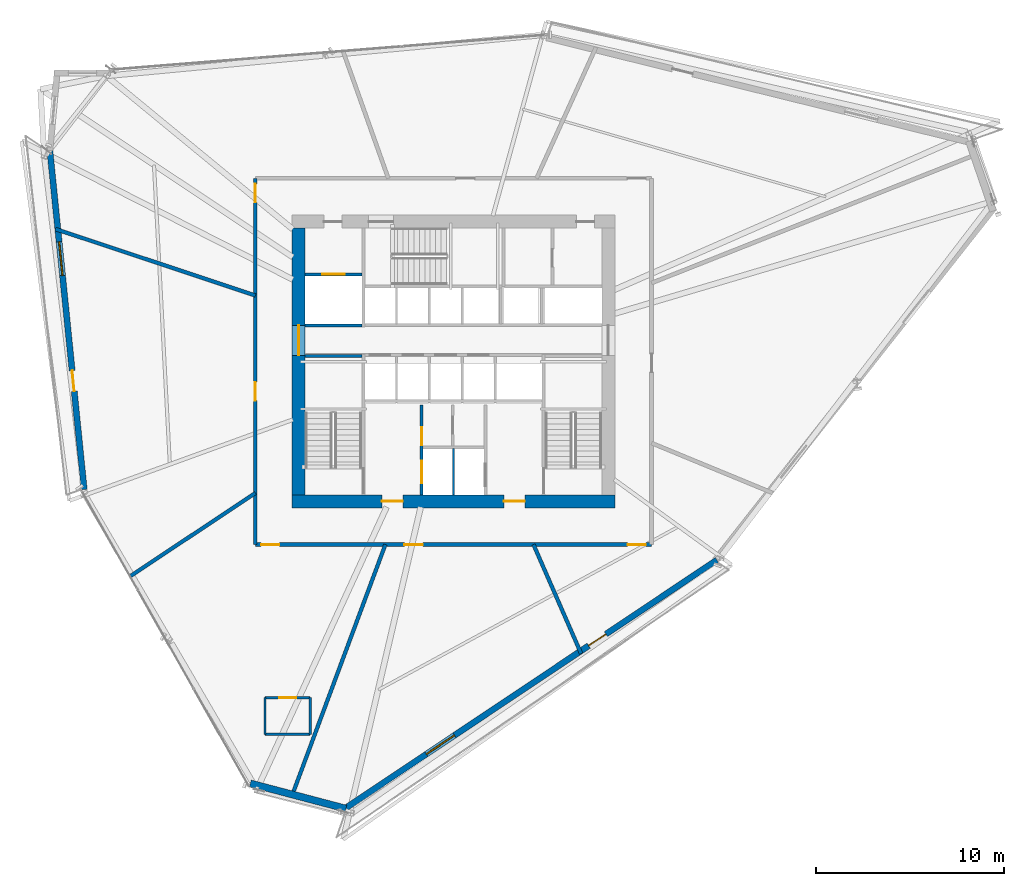
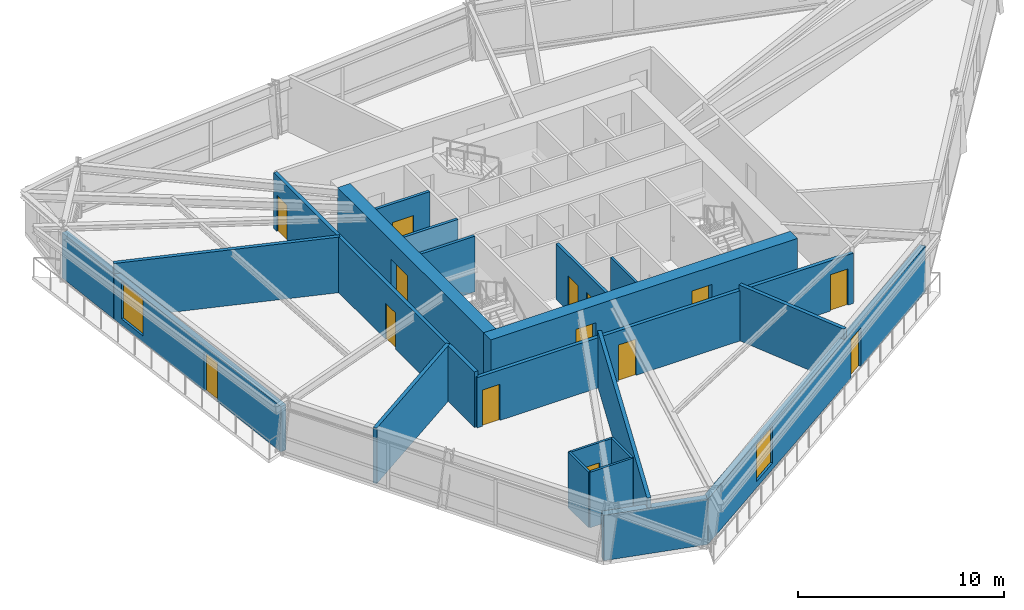
# One storey, part 12 of 18: 20 walls, 14 doors, 2 windows, 16 openings.
"""IFC4 building model written with IfcOpenShell, lengths in metres."""

from ifc_helpers import new_model, si_unit, direction, frame, frame_2d, origin, place, context, subcontext, project, spatial, rectangle, extrude, source, transform, mapped, material, layer, layer_set, type_object, type_shapes, element, fill, save


model = new_model("IFC4")

# Units and contexts
model_context = context("Model", 3, precision=1e-05, world=origin(), true_north=direction((0.0, 1.0)))
body_context = subcontext(model_context, "Body", "Model", "MODEL_VIEW")
ifc_project = project(units=[si_unit("LENGTHUNIT", "METRE"), si_unit("AREAUNIT", "SQUARE_METRE"), si_unit("VOLUMEUNIT", "CUBIC_METRE"), si_unit("PLANEANGLEUNIT", "RADIAN"), si_unit("MASSUNIT", "GRAM", prefix="KILO")], contexts=[model_context])

# Site, building, storey
site_placement = place(None, origin())
site = spatial("IfcSite", under=ifc_project, at=site_placement, CompositionType="ELEMENT")
building_placement = place(site_placement, origin())
building = spatial("IfcBuilding", under=site, at=building_placement, Name="Olszyna Solenne Hotel", CompositionType="ELEMENT")
storey_placement = place(building_placement, frame((0.0, 0.0, 112.800048828125)))
storey = spatial("IfcBuildingStorey", under=building, at=storey_placement, Name="L29", CompositionType="ELEMENT", Elevation=112.800048828125)

# Wall, openings, doors
ifc_material_1 = material(Name="Concrete C60/75", Category="concrete")
ifc_layer_1 = layer(ifc_material_1, 0.699951171875, Name="Concrete C60/75")
ifc_layer_set_1 = layer_set([ifc_layer_1], Name="Concrete C60/75")
wall_type_1 = type_object("IfcWallType", Name="WL-CR700", PredefinedType="SHEAR", material=ifc_layer_set_1)
wall_1_placement = place(storey_placement, frame((46.60009765625, 19.14990234375, 0.0), z_axis=(0.0, 0.0, 1.0), x_axis=(-1.0, 0.0, 0.0)))
wall_1 = element("IfcWall", 1, at=wall_1_placement, inside=storey, type_object=wall_type_1, Name="Core shear wall WL-CR700 CRW-L29-S", PredefinedType="SHEAR", context=body_context, shape_type="SweptSolid", body=[
    extrude(rectangle(XDim=17.2001953125, YDim=0.699951171875, at=frame_2d((8.60009765625, 0.0))), origin(), (0.0, 0.0, 1.0), 3.300048828125),
])
opening_1_placement = place(wall_1_placement, frame((4.800048828125, 0.0, 0.0)))
opening_1 = element("IfcOpeningElement", 2, at=opening_1_placement, cuts=wall_1, Name="Opening FL-L29-1", PredefinedType="OPENING", context=body_context, shape_type="SweptSolid", body=[
    extrude(rectangle(XDim=1.1201171875, YDim=2.25, at=frame_2d((0.56005859375, 1.125))), frame((0.0, 0.35986328125, 0.0), z_axis=(0.0, -1.0, 0.0), x_axis=(1.0, 0.0, 0.0)), (0.0, 0.0, 1.0), 0.719970703125),
])
opening_2_placement = place(wall_1_placement, frame((11.300048828125, 0.0, 0.0)))
opening_2 = element("IfcOpeningElement", 3, at=opening_2_placement, cuts=wall_1, Name="Opening FL-L29-2", PredefinedType="OPENING", context=body_context, shape_type="SweptSolid", body=[
    extrude(rectangle(XDim=1.1201171875, YDim=2.25, at=frame_2d((0.56005859375, 1.125))), frame((0.0, 0.35986328125, 0.0), z_axis=(0.0, -1.0, 0.0), x_axis=(1.0, 0.0, 0.0)), (0.0, 0.0, 1.0), 0.719970703125),
])
ifc_material_2 = material(Name="Steel S355J2", Category="steel")
door_type_1 = type_object("IfcDoorType", Name="DR-FL1", OperationType="NOTDEFINED", PredefinedType="DOOR", material=ifc_material_2)
shared_shape_1 = source(origin(), body_context, "Body", "SweptSolid", [
    extrude(rectangle(XDim=1.1201171875, YDim=2.25, at=frame_2d((0.56005859375, 1.125))), frame((0.0, 0.02490234375, 0.0), z_axis=(0.0, -1.0, 0.0), x_axis=(1.0, 0.0, 0.0)), (0.0, 0.0, 1.0), 0.050048828125),
])
type_shapes(door_type_1, [shared_shape_1])
door_1_placement = place(opening_1_placement, origin())
door_1 = element("IfcDoor", 4, at=door_1_placement, inside=storey, type_object=door_type_1, Name="Firefighting lift lobby smoke door FL-L29-1", OperationType="SINGLE_SWING_LEFT", OverallHeight=2.25, OverallWidth=1.1201171875, PredefinedType="DOOR", context=body_context, shape_type="MappedRepresentation", body=[
    mapped(shared_shape_1, transform((0.0, 0.0, 0.0), x_axis=(1.0, 0.0, 0.0), y_axis=(0.0, 1.0, 0.0), z_axis=(0.0, 0.0, 1.0), scale=1.0)),
])
fill(opening_1, door_1)
door_2_placement = place(opening_2_placement, origin())
door_2 = element("IfcDoor", 5, at=door_2_placement, inside=storey, type_object=door_type_1, Name="Firefighting lift lobby smoke door FL-L29-2", OperationType="SINGLE_SWING_RIGHT", OverallHeight=2.25, OverallWidth=1.1201171875, PredefinedType="DOOR", context=body_context, shape_type="MappedRepresentation", body=[
    mapped(shared_shape_1, transform((0.0, 0.0, 0.0), x_axis=(1.0, 0.0, 0.0), y_axis=(0.0, 1.0, 0.0), z_axis=(0.0, 0.0, 1.0), scale=1.0)),
])
fill(opening_2, door_2)

# Wall, opening, door
wall_2_placement = place(storey_placement, frame((29.75, 19.5, 0.0), z_axis=(0.0, 0.0, 1.0), x_axis=(0.0, 1.0, 0.0)))
wall_2 = element("IfcWall", 6, at=wall_2_placement, inside=storey, type_object=wall_type_1, Name="Core shear wall WL-CR700 CRW-L29-W", PredefinedType="SHEAR", context=body_context, shape_type="SweptSolid", body=[
    extrude(rectangle(XDim=14.199951171875, YDim=0.699951171875, at=frame_2d((7.10009765625, 0.0))), origin(), (0.0, 0.0, 1.0), 3.300048828125),
])
opening_3_placement = place(wall_2_placement, frame((7.419921875, 0.0, 0.0)))
opening_3 = element("IfcOpeningElement", 7, at=opening_3_placement, cuts=wall_2, Name="Opening LHD-L29-W", PredefinedType="OPENING", context=body_context, shape_type="SweptSolid", body=[
    extrude(rectangle(XDim=1.60009765625, YDim=2.199951171875, at=frame_2d((0.800048828125, 1.10009765625))), frame((0.0, 0.35986328125, 0.0), z_axis=(0.0, -1.0, 0.0), x_axis=(1.0, 0.0, 0.0)), (0.0, 0.0, 1.0), 0.719970703125),
])
ifc_material_3 = material(Name="Timber hardwood", Category="wood")
door_type_2 = type_object("IfcDoorType", Name="DR-CR1", OperationType="DOUBLE_DOOR_SINGLE_SWING", PredefinedType="DOOR", material=ifc_material_3)
shared_shape_2 = source(origin(), body_context, "Body", "SweptSolid", [
    extrude(rectangle(XDim=1.60009765625, YDim=2.199951171875, at=frame_2d((0.800048828125, 1.10009765625))), frame((0.0, 0.02490234375, 0.0), z_axis=(0.0, -1.0, 0.0), x_axis=(1.0, 0.0, 0.0)), (0.0, 0.0, 1.0), 0.050048828125),
])
type_shapes(door_type_2, [shared_shape_2])
door_3_placement = place(opening_3_placement, origin())
door_3 = element("IfcDoor", 8, at=door_3_placement, inside=storey, type_object=door_type_2, Name="Passenger lift lobby West fire door LHD-L29-W", OperationType="DOUBLE_DOOR_SINGLE_SWING", OverallHeight=2.199951171875, OverallWidth=1.60009765625, PredefinedType="DOOR", context=body_context, shape_type="MappedRepresentation", body=[
    mapped(shared_shape_2, transform((0.0, 0.0, 0.0), x_axis=(1.0, 0.0, 0.0), y_axis=(0.0, 1.0, 0.0), z_axis=(0.0, 0.0, 1.0), scale=1.0)),
])
fill(opening_3, door_3)

# Wall, openings, door, window
ifc_material_4 = material(Name="Precast concrete C45/55", Category="concrete")
ifc_layer_2 = layer(ifc_material_4, 0.320068359375, Name="Precast concrete C45/55")
ifc_layer_set_2 = layer_set([ifc_layer_2], Name="Precast concrete C45/55")
wall_type_2 = type_object("IfcWallType", Name="WL-EX320", PredefinedType="SOLIDWALL", material=ifc_layer_set_2)
wall_3_placement = place(storey_placement, frame((52.021728515625, 16.02294921875, 0.0), z_axis=(0.0, 0.0, 1.0), x_axis=(-0.831442115586, -0.55561138256, 0.0)))
wall_3 = element("IfcWall", 9, at=wall_3_placement, inside=storey, type_object=wall_type_2, Name="Exterior terracotta-precast frame wall WL-EX320 EW-L29-01", PredefinedType="SOLIDWALL", context=body_context, shape_type="SweptSolid", body=[
    extrude(rectangle(XDim=23.920166015625, YDim=0.320068359375, at=frame_2d((11.9599609375, 0.0))), origin(), (0.0, 0.0, 1.0), 2.69189453125),
])
opening_4_placement = place(wall_3_placement, frame((7.10400390625, 0.0, 0.0)))
opening_4 = element("IfcOpeningElement", 10, at=opening_4_placement, cuts=wall_3, Name="Opening LDG-L29-3", PredefinedType="OPENING", context=body_context, shape_type="SweptSolid", body=[
    extrude(rectangle(XDim=1.10009765625, YDim=2.300048828125, at=frame_2d((0.550048828125, 1.14990234375))), frame((0.0, 0.169921875, 0.0), z_axis=(0.0, -1.0, 0.0), x_axis=(1.0, 0.0, 0.0)), (0.0, 0.0, 1.0), 0.340087890625),
])
opening_5_placement = place(wall_3_placement, frame((16.801025390625, 0.0, 0.3720703125)))
opening_5 = element("IfcOpeningElement", 11, at=opening_5_placement, cuts=wall_3, Name="Opening WN-L29-161", PredefinedType="OPENING", context=body_context, shape_type="SweptSolid", body=[
    extrude(rectangle(XDim=1.800048828125, YDim=2.199951171875, at=frame_2d((0.89990234375, 1.10009765625))), frame((0.0, 0.169921875, 0.0), z_axis=(0.0, -1.0, 0.0), x_axis=(1.0, 0.0, 0.0)), (0.0, 0.0, 1.0), 0.340087890625),
])
ifc_material_5 = material(Name="Anodised bronze aluminium", Category="aluminium")
door_type_3 = type_object("IfcDoorType", Name="DR-LG1", OperationType="NOTDEFINED", PredefinedType="DOOR", material=ifc_material_5)
shared_shape_3 = source(origin(), body_context, "Body", "SweptSolid", [
    extrude(rectangle(XDim=1.10009765625, YDim=2.300048828125, at=frame_2d((0.550048828125, 1.14990234375))), frame((0.0, 0.02490234375, 0.0), z_axis=(0.0, -1.0, 0.0), x_axis=(1.0, 0.0, 0.0)), (0.0, 0.0, 1.0), 0.050048828125),
])
type_shapes(door_type_3, [shared_shape_3])
door_4_placement = place(opening_4_placement, origin())
door_4 = element("IfcDoor", 12, at=door_4_placement, inside=storey, type_object=door_type_3, Name="Exterior loggia balcony door DR-LG1 LDG-L29-3", OperationType="SINGLE_SWING_LEFT", OverallHeight=2.300048828125, OverallWidth=1.10009765625, PredefinedType="DOOR", context=body_context, shape_type="MappedRepresentation", body=[
    mapped(shared_shape_3, transform((0.0, 0.0, 0.0), x_axis=(1.0, 0.0, 0.0), y_axis=(0.0, 1.0, 0.0), z_axis=(0.0, 0.0, 1.0), scale=1.0)),
])
fill(opening_4, door_4)
ifc_material_6 = material(Name="Low-E triple glazing", Category="glass")
window_type = type_object("IfcWindowType", Name="WN-HT1", PartitioningType="SINGLE_PANEL", PredefinedType="WINDOW", material=ifc_material_6)
shared_shape_4 = source(origin(), body_context, "Body", "SweptSolid", [
    extrude(rectangle(XDim=1.800048828125, YDim=2.199951171875, at=frame_2d((0.89990234375, 1.10009765625))), frame((0.0, 0.030029296875, 0.0), z_axis=(0.0, -1.0, 0.0), x_axis=(1.0, 0.0, 0.0)), (0.0, 0.0, 1.0), 0.06005859375),
])
type_shapes(window_type, [shared_shape_4])
window_1_placement = place(opening_5_placement, origin())
window_1 = element("IfcWindow", 13, at=window_1_placement, inside=storey, type_object=window_type, Name="Loggia room window WN-HT1 WN-L29-161", OverallHeight=2.199951171875, OverallWidth=1.800048828125, PartitioningType="SINGLE_PANEL", PredefinedType="WINDOW", context=body_context, shape_type="MappedRepresentation", body=[
    mapped(shared_shape_4, transform((0.0, 0.0, 0.0), x_axis=(1.0, 0.0, 0.0), y_axis=(0.0, 1.0, 0.0), z_axis=(0.0, 0.0, 1.0), scale=1.0)),
])
fill(opening_5, window_1)

wall_4_placement = place(storey_placement, frame((18.333984375, 19.780517578125, 0.0), z_axis=(0.0, 0.0, 1.0), x_axis=(-0.1006962092, 0.994917219397, 0.0)))
wall_4 = element("IfcWall", 14, at=wall_4_placement, inside=storey, type_object=wall_type_2, Name="Exterior terracotta-precast frame wall WL-EX320 EW-L29-04", PredefinedType="SOLIDWALL", context=body_context, shape_type="SweptSolid", body=[
    extrude(rectangle(XDim=18.181640625, YDim=0.320068359375, at=frame_2d((9.0908203125, 0.0))), origin(), (0.0, 0.0, 1.0), 2.69189453125),
])
opening_6_placement = place(wall_4_placement, frame((5.26806640625, 0.0, 0.0)))
opening_6 = element("IfcOpeningElement", 15, at=opening_6_placement, cuts=wall_4, Name="Opening LDG-L29-2", PredefinedType="OPENING", context=body_context, shape_type="SweptSolid", body=[
    extrude(rectangle(XDim=1.10009765625, YDim=2.300048828125, at=frame_2d((0.550048828125, 1.14990234375))), frame((0.0, 0.169921875, 0.0), z_axis=(0.0, -1.0, 0.0), x_axis=(1.0, 0.0, 0.0)), (0.0, 0.0, 1.0), 0.340087890625),
])
opening_7_placement = place(wall_4_placement, frame((11.4541015625, 0.0, 0.3720703125)))
opening_7 = element("IfcOpeningElement", 16, at=opening_7_placement, cuts=wall_4, Name="Opening WN-L29-162", PredefinedType="OPENING", context=body_context, shape_type="SweptSolid", body=[
    extrude(rectangle(XDim=1.800048828125, YDim=2.199951171875, at=frame_2d((0.89990234375, 1.10009765625))), frame((0.0, 0.169921875, 0.0), z_axis=(0.0, -1.0, 0.0), x_axis=(1.0, 0.0, 0.0)), (0.0, 0.0, 1.0), 0.340087890625),
])
door_5_placement = place(opening_6_placement, origin())
door_5 = element("IfcDoor", 17, at=door_5_placement, inside=storey, type_object=door_type_3, Name="Exterior loggia balcony door DR-LG1 LDG-L29-2", OperationType="SINGLE_SWING_RIGHT", OverallHeight=2.300048828125, OverallWidth=1.10009765625, PredefinedType="DOOR", context=body_context, shape_type="MappedRepresentation", body=[
    mapped(shared_shape_3, transform((0.0, 0.0, 0.0), x_axis=(1.0, 0.0, 0.0), y_axis=(0.0, 1.0, 0.0), z_axis=(0.0, 0.0, 1.0), scale=1.0)),
])
fill(opening_6, door_5)
window_2_placement = place(opening_7_placement, origin())
window_2 = element("IfcWindow", 18, at=window_2_placement, inside=storey, type_object=window_type, Name="Loggia room window WN-HT1 WN-L29-162", OverallHeight=2.199951171875, OverallWidth=1.800048828125, PartitioningType="SINGLE_PANEL", PredefinedType="WINDOW", context=body_context, shape_type="MappedRepresentation", body=[
    mapped(shared_shape_4, transform((0.0, 0.0, 0.0), x_axis=(1.0, 0.0, 0.0), y_axis=(0.0, 1.0, 0.0), z_axis=(0.0, 0.0, 1.0), scale=1.0)),
])
fill(opening_7, window_2)

# Walls
ifc_material_7 = material(Name="Terracotta cladding on precast concrete C45/55", Category="masonry")
ifc_layer_3 = layer(ifc_material_7, 0.3798828125, Name="Terracotta cladding on precast concrete C45/55")
ifc_layer_set_3 = layer_set([ifc_layer_3], Name="Terracotta cladding on precast concrete C45/55")
wall_type_3 = type_object("IfcWallType", Name="WL-EX380", PredefinedType="SOLIDWALL", material=ifc_layer_set_3)
wall_5_placement = place(storey_placement, frame((32.27099609375, 2.783447265625, 0.0), z_axis=(0.0, 0.0, 1.0), x_axis=(-0.966828311794, 0.255427123686, 0.0)))
element("IfcWall", 19, at=wall_5_placement, inside=storey, type_object=wall_type_3, Name="Exterior terracotta-precast frame wall WL-EX380 EW-L29-02", PredefinedType="SOLIDWALL", context=body_context, shape_type="SweptSolid", body=[
    extrude(rectangle(XDim=5.2626953125, YDim=0.3798828125, at=frame_2d((2.63134765625, 0.0))), origin(), (0.0, 0.0, 1.0), 2.69189453125),
])
ifc_material_8 = material(Name="Acoustic gypsum partition", Category="gypsum")
ifc_layer_4 = layer(ifc_material_8, 0.125, Name="Acoustic gypsum partition")
ifc_layer_set_4 = layer_set([ifc_layer_4], Name="Acoustic gypsum partition")
wall_type_4 = type_object("IfcWallType", Name="WL-PT125", PredefinedType="PARTITIONING", material=ifc_layer_set_4)
wall_6_placement = place(storey_placement, frame((38.0, 19.5, 0.0), z_axis=(0.0, 0.0, 1.0), x_axis=(0.0, 1.0, 0.0)))
element("IfcWall", 20, at=wall_6_placement, inside=storey, type_object=wall_type_4, Name="Core shaft compartment wall CW-L29-FFM", PredefinedType="PARTITIONING", context=body_context, shape_type="SweptSolid", body=[
    extrude(rectangle(XDim=2.4599609375, YDim=0.125, at=frame_2d((1.22998046875, 0.0))), origin(), (0.0, 0.0, 1.0), 3.300048828125),
])
wall_7_placement = place(storey_placement, frame((30.364990234375, 6.741943359375, 0.0), z_axis=(0.0, 0.0, 1.0), x_axis=(0.0, 1.0, 0.0)))
element("IfcWall", 21, at=wall_7_placement, inside=storey, type_object=wall_type_4, Name="Interior acoustic partition WL-PT125 PW-L29-1698", PredefinedType="PARTITIONING", context=body_context, shape_type="SweptSolid", body=[
    extrude(rectangle(XDim=1.949951171875, YDim=0.125, at=frame_2d((0.97509765625, 0.0))), origin(), (0.0, 0.0, 1.0), 3.300048828125),
])

# Wall, opening, door
wall_8_placement = place(storey_placement, frame((30.364990234375, 8.69189453125, 0.0), z_axis=(0.0, 0.0, 1.0), x_axis=(-1.0, 0.0, 0.0)))
wall_8 = element("IfcWall", 22, at=wall_8_placement, inside=storey, type_object=wall_type_4, Name="Interior acoustic partition WL-PT125 PW-L29-1699", PredefinedType="PARTITIONING", context=body_context, shape_type="SweptSolid", body=[
    extrude(rectangle(XDim=2.39990234375, YDim=0.125, at=frame_2d((1.199951171875, 0.0))), origin(), (0.0, 0.0, 1.0), 3.300048828125),
])
opening_8_placement = place(wall_8_placement, frame((0.75, 0.0, 0.0)))
opening_8 = element("IfcOpeningElement", 23, at=opening_8_placement, cuts=wall_8, Name="Opening DR-L29-0402", PredefinedType="OPENING", context=body_context, shape_type="SweptSolid", body=[
    extrude(rectangle(XDim=0.89990234375, YDim=2.10009765625, at=frame_2d((0.449951171875, 1.050048828125))), frame((0.0, 0.072509765625, 0.0), z_axis=(0.0, -1.0, 0.0), x_axis=(1.0, 0.0, 0.0)), (0.0, 0.0, 1.0), 0.14501953125),
])
door_type_4 = type_object("IfcDoorType", Name="DR-WC1", OperationType="NOTDEFINED", PredefinedType="DOOR", material=ifc_material_3)
shared_shape_5 = source(origin(), body_context, "Body", "SweptSolid", [
    extrude(rectangle(XDim=0.89990234375, YDim=2.10009765625, at=frame_2d((0.449951171875, 1.050048828125))), frame((0.0, 0.02490234375, 0.0), z_axis=(0.0, -1.0, 0.0), x_axis=(1.0, 0.0, 0.0)), (0.0, 0.0, 1.0), 0.050048828125),
])
type_shapes(door_type_4, [shared_shape_5])
door_6_placement = place(opening_8_placement, origin())
door_6 = element("IfcDoor", 24, at=door_6_placement, inside=storey, type_object=door_type_4, Name="En-Suite Bathroom Door DR-L29-0402", OperationType="SINGLE_SWING_LEFT", OverallHeight=2.10009765625, OverallWidth=0.89990234375, PredefinedType="DOOR", context=body_context, shape_type="MappedRepresentation", body=[
    mapped(shared_shape_5, transform((0.0, 0.0, 0.0), x_axis=(1.0, 0.0, 0.0), y_axis=(0.0, 1.0, 0.0), z_axis=(0.0, 0.0, 1.0), scale=1.0)),
])
fill(opening_8, door_6)

# Walls
wall_9_placement = place(storey_placement, frame((27.965087890625, 8.69189453125, 0.0), z_axis=(0.0, 0.0, 1.0), x_axis=(0.0, -1.0, 0.0)))
element("IfcWall", 25, at=wall_9_placement, inside=storey, type_object=wall_type_4, Name="Interior acoustic partition WL-PT125 PW-L29-1700", PredefinedType="PARTITIONING", context=body_context, shape_type="SweptSolid", body=[
    extrude(rectangle(XDim=1.949951171875, YDim=0.125, at=frame_2d((0.97509765625, 0.0))), origin(), (0.0, 0.0, 1.0), 3.300048828125),
])
wall_10_placement = place(storey_placement, frame((27.965087890625, 6.741943359375, 0.0), z_axis=(0.0, 0.0, 1.0), x_axis=(1.0, 0.0, 0.0)))
element("IfcWall", 26, at=wall_10_placement, inside=storey, type_object=wall_type_4, Name="Interior acoustic partition WL-PT125 PW-L29-1701", PredefinedType="PARTITIONING", context=body_context, shape_type="SweptSolid", body=[
    extrude(rectangle(XDim=2.39990234375, YDim=0.125, at=frame_2d((1.199951171875, 0.0))), origin(), (0.0, 0.0, 1.0), 3.300048828125),
])
ifc_layer_5 = layer(ifc_material_8, 0.159912109375, Name="Acoustic gypsum partition")
ifc_layer_set_5 = layer_set([ifc_layer_5], Name="Acoustic gypsum partition")
wall_type_5 = type_object("IfcWallType", Name="WL-PT160", PredefinedType="PARTITIONING", material=ifc_layer_set_5)
wall_11_placement = place(storey_placement, frame((30.10009765625, 26.8798828125, 0.0), z_axis=(0.0, 0.0, 1.0), x_axis=(1.0, 0.0, 0.0)))
element("IfcWall", 27, at=wall_11_placement, inside=storey, type_object=wall_type_5, Name="Core shaft compartment wall CW-L29-ST1N", PredefinedType="PARTITIONING", context=body_context, shape_type="SweptSolid", body=[
    extrude(rectangle(XDim=3.02001953125, YDim=0.159912109375, at=frame_2d((1.510009765625, 0.0))), origin(), (0.0, 0.0, 1.0), 3.300048828125),
])

# Wall, openings, doors
wall_12_placement = place(storey_placement, frame((36.300048828125, 19.5, 0.0), z_axis=(0.0, 0.0, 1.0), x_axis=(0.0, 1.0, 0.0)))
wall_12 = element("IfcWall", 28, at=wall_12_placement, inside=storey, type_object=wall_type_5, Name="Core shaft compartment wall CW-L29-FF1W", PredefinedType="PARTITIONING", context=body_context, shape_type="SweptSolid", body=[
    extrude(rectangle(XDim=4.780029296875, YDim=0.159912109375, at=frame_2d((2.39013671875, 0.0))), origin(), (0.0, 0.0, 1.0), 3.300048828125),
])
opening_9_placement = place(wall_12_placement, frame((0.60009765625, 0.0, 0.0)))
opening_9 = element("IfcOpeningElement", 29, at=opening_9_placement, cuts=wall_12, Name="Opening LD-L29-FF1", PredefinedType="OPENING", context=body_context, shape_type="SweptSolid", body=[
    extrude(rectangle(XDim=1.199951171875, YDim=2.199951171875, at=frame_2d((0.60009765625, 1.10009765625))), frame((0.0, 0.08984375, 0.0), z_axis=(0.0, -1.0, 0.0), x_axis=(1.0, 0.0, 0.0)), (0.0, 0.0, 1.0), 0.179931640625),
])
opening_10_placement = place(wall_12_placement, frame((2.64990234375, 0.0, 0.0)))
opening_10 = element("IfcOpeningElement", 30, at=opening_10_placement, cuts=wall_12, Name="Opening SVD-L29-SMK", PredefinedType="OPENING", context=body_context, shape_type="SweptSolid", body=[
    extrude(rectangle(XDim=0.949951171875, YDim=2.10009765625, at=frame_2d((0.47509765625, 1.050048828125))), frame((0.0, 0.08984375, 0.0), z_axis=(0.0, -1.0, 0.0), x_axis=(1.0, 0.0, 0.0)), (0.0, 0.0, 1.0), 0.179931640625),
])
door_type_5 = type_object("IfcDoorType", Name="DR-SV1", OperationType="NOTDEFINED", PredefinedType="DOOR", material=ifc_material_2)
shared_shape_6 = source(origin(), body_context, "Body", "SweptSolid", [
    extrude(rectangle(XDim=0.949951171875, YDim=2.10009765625, at=frame_2d((0.47509765625, 1.050048828125))), frame((0.0, 0.02490234375, 0.0), z_axis=(0.0, -1.0, 0.0), x_axis=(1.0, 0.0, 0.0)), (0.0, 0.0, 1.0), 0.050048828125),
])
type_shapes(door_type_5, [shared_shape_6])
door_7_placement = place(opening_10_placement, origin())
door_7 = element("IfcDoor", 31, at=door_7_placement, inside=storey, type_object=door_type_5, Name="Valet and core service room door SVD-L29-SMK", OperationType="SINGLE_SWING_LEFT", OverallHeight=2.10009765625, OverallWidth=0.949951171875, PredefinedType="DOOR", context=body_context, shape_type="MappedRepresentation", body=[
    mapped(shared_shape_6, transform((0.0, 0.0, 0.0), x_axis=(1.0, 0.0, 0.0), y_axis=(0.0, 1.0, 0.0), z_axis=(0.0, 0.0, 1.0), scale=1.0)),
])
fill(opening_10, door_7)
door_type_6 = type_object("IfcDoorType", Name="LD-FF1", OperationType="DOUBLE_DOOR_SLIDING", PredefinedType="DOOR", material=ifc_material_2)
shared_shape_7 = source(origin(), body_context, "Body", "SweptSolid", [
    extrude(rectangle(XDim=1.199951171875, YDim=2.199951171875, at=frame_2d((0.60009765625, 1.10009765625))), frame((0.0, 0.02490234375, 0.0), z_axis=(0.0, -1.0, 0.0), x_axis=(1.0, 0.0, 0.0)), (0.0, 0.0, 1.0), 0.050048828125),
])
type_shapes(door_type_6, [shared_shape_7])
door_8_placement = place(opening_9_placement, origin())
door_8 = element("IfcDoor", 32, at=door_8_placement, inside=storey, type_object=door_type_6, Name="Firefighters lift FF1 sliding landing door LD-L29-FF1", OperationType="DOUBLE_DOOR_SLIDING", OverallHeight=2.199951171875, OverallWidth=1.199951171875, PredefinedType="DOOR", context=body_context, shape_type="MappedRepresentation", body=[
    mapped(shared_shape_7, transform((0.0, 0.0, 0.0), x_axis=(1.0, 0.0, 0.0), y_axis=(0.0, 1.0, 0.0), z_axis=(0.0, 0.0, 1.0), scale=1.0)),
])
fill(opening_9, door_8)

# Wall
wall_13_placement = place(storey_placement, frame((30.10009765625, 28.52001953125, 0.0), z_axis=(0.0, 0.0, 1.0), x_axis=(1.0, 0.0, 0.0)))
element("IfcWall", 33, at=wall_13_placement, inside=storey, type_object=wall_type_5, Name="Core shaft compartment wall CW-L29-SV1S", PredefinedType="PARTITIONING", context=body_context, shape_type="SweptSolid", body=[
    extrude(rectangle(XDim=3.02001953125, YDim=0.159912109375, at=frame_2d((1.510009765625, 0.0))), origin(), (0.0, 0.0, 1.0), 3.300048828125),
])

# Wall, opening, door
wall_14_placement = place(storey_placement, frame((30.10009765625, 31.239990234375, 0.0), z_axis=(0.0, 0.0, 1.0), x_axis=(1.0, 0.0, 0.0)))
wall_14 = element("IfcWall", 34, at=wall_14_placement, inside=storey, type_object=wall_type_5, Name="Core shaft compartment wall CW-L29-SV1N", PredefinedType="PARTITIONING", context=body_context, shape_type="SweptSolid", body=[
    extrude(rectangle(XDim=3.02001953125, YDim=0.159912109375, at=frame_2d((1.510009765625, 0.0))), origin(), (0.0, 0.0, 1.0), 3.300048828125),
])
opening_11_placement = place(wall_14_placement, frame((0.909912109375, 0.0, 0.0)))
opening_11 = element("IfcOpeningElement", 35, at=opening_11_placement, cuts=wall_14, Name="Opening LD-L29-SV1", PredefinedType="OPENING", context=body_context, shape_type="SweptSolid", body=[
    extrude(rectangle(XDim=1.199951171875, YDim=2.199951171875, at=frame_2d((0.60009765625, 1.10009765625))), frame((0.0, 0.08984375, 0.0), z_axis=(0.0, -1.0, 0.0), x_axis=(1.0, 0.0, 0.0)), (0.0, 0.0, 1.0), 0.179931640625),
])
door_9_placement = place(opening_11_placement, origin())
door_9 = element("IfcDoor", 36, at=door_9_placement, inside=storey, type_object=door_type_6, Name="Service lift SV1 sliding landing door LD-L29-SV1", OperationType="DOUBLE_DOOR_SLIDING", OverallHeight=2.199951171875, OverallWidth=1.199951171875, PredefinedType="DOOR", context=body_context, shape_type="MappedRepresentation", body=[
    mapped(shared_shape_7, transform((0.0, 0.0, 0.0), x_axis=(1.0, 0.0, 0.0), y_axis=(0.0, 1.0, 0.0), z_axis=(0.0, 0.0, 1.0), scale=1.0)),
])
fill(opening_11, door_9)

# Walls
ifc_layer_6 = layer(ifc_material_8, 0.199951171875, Name="Acoustic gypsum partition")
ifc_layer_set_6 = layer_set([ifc_layer_6], Name="Acoustic gypsum partition")
wall_type_6 = type_object("IfcWallType", Name="WL-PT200", PredefinedType="PARTITIONING", material=ifc_layer_set_6)
wall_15_placement = place(storey_placement, frame((34.3740234375, 16.85009765625, 0.0), z_axis=(0.0, 0.0, 1.0), x_axis=(-0.348574362272, -0.937281128566, 0.0)))
element("IfcWall", 37, at=wall_15_placement, inside=storey, type_object=wall_type_6, Name="Interior acoustic partition WL-PT200 PW-L29-1690", PredefinedType="PARTITIONING", context=body_context, shape_type="SweptSolid", body=[
    extrude(rectangle(XDim=14.365966796875, YDim=0.199951171875, at=frame_2d((7.18310546875, 0.0))), origin(), (0.0, 0.0, 1.0), 3.300048828125),
])
wall_16_placement = place(storey_placement, frame((42.259765625, 16.85009765625, 0.0), z_axis=(0.0, 0.0, 1.0), x_axis=(0.400317853683, -0.916376350646, 0.0)))
element("IfcWall", 38, at=wall_16_placement, inside=storey, type_object=wall_type_6, Name="Interior acoustic partition WL-PT200 PW-L29-1691", PredefinedType="PARTITIONING", context=body_context, shape_type="SweptSolid", body=[
    extrude(rectangle(XDim=6.3408203125, YDim=0.199951171875, at=frame_2d((3.17041015625, 0.0))), origin(), (0.0, 0.0, 1.0), 3.300048828125),
])
wall_17_placement = place(storey_placement, frame((27.449951171875, 30.109619140625, 0.0), z_axis=(0.0, 0.0, 1.0), x_axis=(-0.948876702019, 0.315646961598, 0.0)))
element("IfcWall", 39, at=wall_17_placement, inside=storey, type_object=wall_type_6, Name="Interior acoustic partition WL-PT200 PW-L29-1696", PredefinedType="PARTITIONING", context=body_context, shape_type="SweptSolid", body=[
    extrude(rectangle(XDim=11.224365234375, YDim=0.199951171875, at=frame_2d((5.6123046875, 0.0))), origin(), (0.0, 0.0, 1.0), 3.300048828125),
])
wall_18_placement = place(storey_placement, frame((27.449951171875, 19.590576171875, 0.0), z_axis=(0.0, 0.0, 1.0), x_axis=(-0.832915827801, -0.55339969624, 0.0)))
element("IfcWall", 40, at=wall_18_placement, inside=storey, type_object=wall_type_6, Name="Interior acoustic partition WL-PT200 PW-L29-1697", PredefinedType="PARTITIONING", context=body_context, shape_type="SweptSolid", body=[
    extrude(rectangle(XDim=7.975341796875, YDim=0.199951171875, at=frame_2d((3.98779296875, 0.0))), origin(), (0.0, 0.0, 1.0), 3.300048828125),
])

# Wall, openings, doors
wall_19_placement = place(storey_placement, frame((27.449951171875, 16.85009765625, 0.0), z_axis=(0.0, 0.0, 1.0), x_axis=(1.0, 0.0, 0.0)))
wall_19 = element("IfcWall", 41, at=wall_19_placement, inside=storey, type_object=wall_type_6, Name="Interior acoustic partition WL-PT200 PW-L29-1702", PredefinedType="PARTITIONING", context=body_context, shape_type="SweptSolid", body=[
    extrude(rectangle(XDim=21.10009765625, YDim=0.199951171875, at=frame_2d((10.550048828125, 0.0))), origin(), (0.0, 0.0, 1.0), 2.98486328125),
])
opening_12_placement = place(wall_19_placement, frame((7.93310546875, 0.0, 0.0)))
opening_12 = element("IfcOpeningElement", 42, at=opening_12_placement, cuts=wall_19, Name="Opening DR-L29-0403", PredefinedType="OPENING", context=body_context, shape_type="SweptSolid", body=[
    extrude(rectangle(XDim=0.97998046875, YDim=2.14990234375, at=frame_2d((0.489990234375, 1.074951171875))), frame((0.0, 0.10986328125, 0.0), z_axis=(0.0, -1.0, 0.0), x_axis=(1.0, 0.0, 0.0)), (0.0, 0.0, 1.0), 0.219970703125),
])
opening_13_placement = place(wall_19_placement, frame((19.820068359375, 0.0, 0.0)))
opening_13 = element("IfcOpeningElement", 43, at=opening_13_placement, cuts=wall_19, Name="Opening DR-L29-0404", PredefinedType="OPENING", context=body_context, shape_type="SweptSolid", body=[
    extrude(rectangle(XDim=0.97998046875, YDim=2.14990234375, at=frame_2d((0.489990234375, 1.074951171875))), frame((0.0, 0.10986328125, 0.0), z_axis=(0.0, -1.0, 0.0), x_axis=(1.0, 0.0, 0.0)), (0.0, 0.0, 1.0), 0.219970703125),
])
opening_14_placement = place(wall_19_placement, frame((0.300048828125, 0.0, 0.0)))
opening_14 = element("IfcOpeningElement", 44, at=opening_14_placement, cuts=wall_19, Name="Opening DR-L29-0405", PredefinedType="OPENING", context=body_context, shape_type="SweptSolid", body=[
    extrude(rectangle(XDim=0.97998046875, YDim=2.14990234375, at=frame_2d((0.489990234375, 1.074951171875))), frame((0.0, 0.10986328125, 0.0), z_axis=(0.0, -1.0, 0.0), x_axis=(1.0, 0.0, 0.0)), (0.0, 0.0, 1.0), 0.219970703125),
])
door_type_7 = type_object("IfcDoorType", Name="DR-RM1", OperationType="NOTDEFINED", PredefinedType="DOOR", material=ifc_material_3)
shared_shape_8 = source(origin(), body_context, "Body", "SweptSolid", [
    extrude(rectangle(XDim=0.97998046875, YDim=2.14990234375, at=frame_2d((0.489990234375, 1.074951171875))), frame((0.0, 0.02490234375, 0.0), z_axis=(0.0, -1.0, 0.0), x_axis=(1.0, 0.0, 0.0)), (0.0, 0.0, 1.0), 0.050048828125),
])
type_shapes(door_type_7, [shared_shape_8])
door_10_placement = place(opening_12_placement, origin())
door_10 = element("IfcDoor", 45, at=door_10_placement, inside=storey, type_object=door_type_7, Name="Private Business Office Entrance Door DR-L29-0403", OperationType="SINGLE_SWING_RIGHT", OverallHeight=2.14990234375, OverallWidth=0.97998046875, PredefinedType="DOOR", context=body_context, shape_type="MappedRepresentation", body=[
    mapped(shared_shape_8, transform((0.0, 0.0, 0.0), x_axis=(1.0, 0.0, 0.0), y_axis=(0.0, 1.0, 0.0), z_axis=(0.0, 0.0, 1.0), scale=1.0)),
])
fill(opening_12, door_10)
door_11_placement = place(opening_13_placement, origin())
door_11 = element("IfcDoor", 46, at=door_11_placement, inside=storey, type_object=door_type_7, Name="Private Business Office Entrance Door DR-L29-0404", OperationType="SINGLE_SWING_LEFT", OverallHeight=2.14990234375, OverallWidth=0.97998046875, PredefinedType="DOOR", context=body_context, shape_type="MappedRepresentation", body=[
    mapped(shared_shape_8, transform((0.0, 0.0, 0.0), x_axis=(1.0, 0.0, 0.0), y_axis=(0.0, 1.0, 0.0), z_axis=(0.0, 0.0, 1.0), scale=1.0)),
])
fill(opening_13, door_11)
door_12_placement = place(opening_14_placement, origin())
door_12 = element("IfcDoor", 47, at=door_12_placement, inside=storey, type_object=door_type_7, Name="Executive Reading Salon Entrance Door DR-L29-0405", OperationType="SINGLE_SWING_LEFT", OverallHeight=2.14990234375, OverallWidth=0.97998046875, PredefinedType="DOOR", context=body_context, shape_type="MappedRepresentation", body=[
    mapped(shared_shape_8, transform((0.0, 0.0, 0.0), x_axis=(1.0, 0.0, 0.0), y_axis=(0.0, 1.0, 0.0), z_axis=(0.0, 0.0, 1.0), scale=1.0)),
])
fill(opening_14, door_12)

wall_20_placement = place(storey_placement, frame((27.449951171875, 16.85009765625, 0.0), z_axis=(0.0, 0.0, 1.0), x_axis=(0.0, 1.0, 0.0)))
wall_20 = element("IfcWall", 48, at=wall_20_placement, inside=storey, type_object=wall_type_6, Name="Interior acoustic partition WL-PT200 PW-L29-1703", PredefinedType="PARTITIONING", context=body_context, shape_type="SweptSolid", body=[
    extrude(rectangle(XDim=19.5, YDim=0.199951171875, at=frame_2d((9.75, 0.0))), origin(), (0.0, 0.0, 1.0), 3.300048828125),
])
opening_15_placement = place(wall_20_placement, frame((18.219970703125, 0.0, 0.0)))
opening_15 = element("IfcOpeningElement", 49, at=opening_15_placement, cuts=wall_20, Name="Opening DR-L29-0406", PredefinedType="OPENING", context=body_context, shape_type="SweptSolid", body=[
    extrude(rectangle(XDim=0.97998046875, YDim=2.14990234375, at=frame_2d((0.489990234375, 1.074951171875))), frame((0.0, 0.10986328125, 0.0), z_axis=(0.0, -1.0, 0.0), x_axis=(1.0, 0.0, 0.0)), (0.0, 0.0, 1.0), 0.219970703125),
])
opening_16_placement = place(wall_20_placement, frame((7.666015625, 0.0, 0.0)))
opening_16 = element("IfcOpeningElement", 50, at=opening_16_placement, cuts=wall_20, Name="Opening DR-L29-0407", PredefinedType="OPENING", context=body_context, shape_type="SweptSolid", body=[
    extrude(rectangle(XDim=0.97998046875, YDim=2.14990234375, at=frame_2d((0.489990234375, 1.074951171875))), frame((0.0, 0.10986328125, 0.0), z_axis=(0.0, -1.0, 0.0), x_axis=(1.0, 0.0, 0.0)), (0.0, 0.0, 1.0), 0.219970703125),
])
door_13_placement = place(opening_15_placement, origin())
door_13 = element("IfcDoor", 51, at=door_13_placement, inside=storey, type_object=door_type_7, Name="Breakfast Tasting Salon Entrance Door DR-L29-0406", OperationType="SINGLE_SWING_LEFT", OverallHeight=2.14990234375, OverallWidth=0.97998046875, PredefinedType="DOOR", context=body_context, shape_type="MappedRepresentation", body=[
    mapped(shared_shape_8, transform((0.0, 0.0, 0.0), x_axis=(1.0, 0.0, 0.0), y_axis=(0.0, 1.0, 0.0), z_axis=(0.0, 0.0, 1.0), scale=1.0)),
])
fill(opening_15, door_13)
door_14_placement = place(opening_16_placement, origin())
door_14 = element("IfcDoor", 52, at=door_14_placement, inside=storey, type_object=door_type_7, Name="Breakfast Tasting Salon Entrance Door DR-L29-0407", OperationType="SINGLE_SWING_RIGHT", OverallHeight=2.14990234375, OverallWidth=0.97998046875, PredefinedType="DOOR", context=body_context, shape_type="MappedRepresentation", body=[
    mapped(shared_shape_8, transform((0.0, 0.0, 0.0), x_axis=(1.0, 0.0, 0.0), y_axis=(0.0, 1.0, 0.0), z_axis=(0.0, 0.0, 1.0), scale=1.0)),
])
fill(opening_16, door_14)

save(model, "model.ifc")
